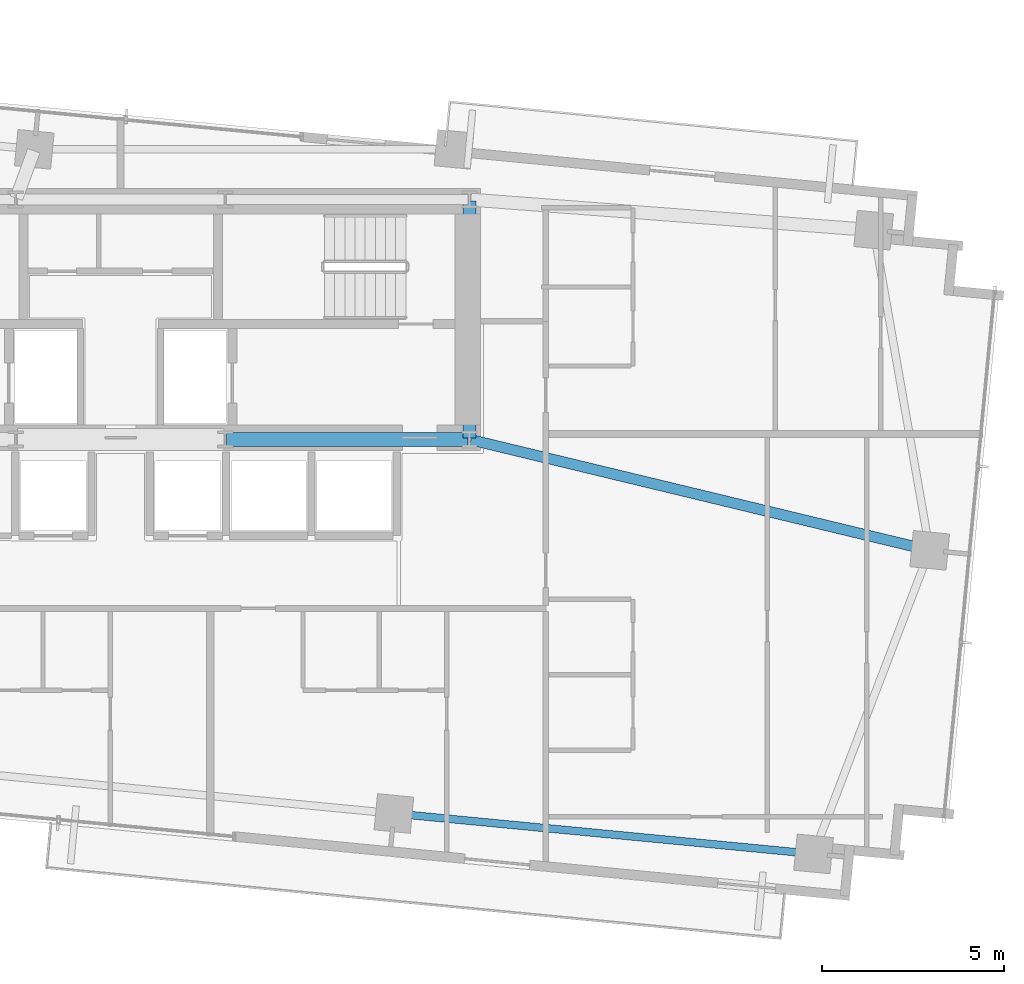
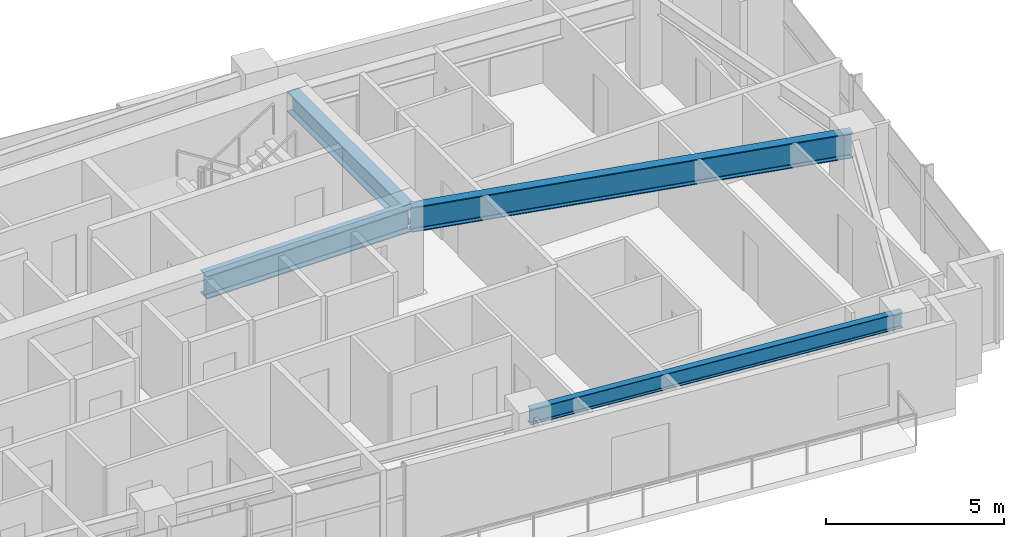
# One storey, part 9 of 19: 4 beams.
"""IFC4 building model written with IfcOpenShell, lengths in metres."""

from ifc_helpers import new_model, si_unit, direction, frame, origin, origin_2d, place, context, subcontext, project, spatial, i_section, extrude, source, transform, mapped, material, material_profile, profile_set, type_object, type_shapes, element, save


model = new_model("IFC4")

# Units and contexts
model_context = context("Model", 3, precision=1e-05, world=origin(), true_north=direction((0.0, 1.0)))
body_context = subcontext(model_context, "Body", "Model", "MODEL_VIEW")
ifc_project = project(units=[si_unit("LENGTHUNIT", "METRE"), si_unit("AREAUNIT", "SQUARE_METRE"), si_unit("VOLUMEUNIT", "CUBIC_METRE"), si_unit("PLANEANGLEUNIT", "RADIAN"), si_unit("MASSUNIT", "GRAM", prefix="KILO")], contexts=[model_context])

# Site, building, storey
site_placement = place(None, origin())
site = spatial("IfcSite", under=ifc_project, at=site_placement, CompositionType="ELEMENT")
building_placement = place(site_placement, origin())
building = spatial("IfcBuilding", under=site, at=building_placement, Name="Astriad Promenade Condominiums", CompositionType="ELEMENT")
storey_placement = place(building_placement, frame((0.0, 0.0, 140.60009765625)))
storey = spatial("IfcBuildingStorey", under=building, at=storey_placement, Name="L40", CompositionType="ELEMENT", Elevation=140.60009765625)

# Beams
ifc_material = material(Name="Steel ASTM A992 Grade 50", Category="steel")
ifc_material_profile_1 = material_profile(ifc_material, i_section(OverallWidth=0.3837890625, OverallDepth=0.785888671875, WebThickness=0.019775390625, FlangeThickness=0.033447265625, FilletRadius=0.021484375, at=origin_2d()), Name="W30X211")
ifc_profile_set_1 = profile_set([ifc_material_profile_1], Name="Steel ASTM A992 Grade 50")
beam_type_1 = type_object("IfcBeamType", Name="STEEL FLOOR GIRDER W30X211", PredefinedType="BEAM", material=ifc_profile_set_1)
shared_shape_1 = source(origin(), body_context, "Body", "SweptSolid", [
    extrude(i_section(OverallWidth=0.3837890625, OverallDepth=0.785888671875, WebThickness=0.019775390625, FlangeThickness=0.033447265625, FilletRadius=0.021484375, at=origin_2d()), origin(), (0.0, 0.0, 1.0), 6.64013671875),
])
type_shapes(beam_type_1, [shared_shape_1])
beam_1_placement = place(storey_placement, frame((38.919921875, 17.39990234375, 2.546875), z_axis=(1.0, 0.0, 0.0), x_axis=(0.0, 1.0, 0.0)))
element("IfcBeam", 1, at=beam_1_placement, inside=storey, type_object=beam_type_1, Name="Core Ring Beam CG-S3-L40", PredefinedType="BEAM", context=body_context, shape_type="MappedRepresentation", body=[
    mapped(shared_shape_1, transform((0.0, 0.0, 0.0), scale=1.0)),
])
ifc_material_profile_2 = material_profile(ifc_material, i_section(OverallWidth=0.35791015625, OverallDepth=0.706298828125, WebThickness=0.018310546875, FlangeThickness=0.0302734375, FilletRadius=0.020263671875, at=origin_2d()), Name="W27X178")
ifc_profile_set_2 = profile_set([ifc_material_profile_2], Name="Steel ASTM A992 Grade 50")
beam_type_2 = type_object("IfcBeamType", Name="STEEL FLOOR GIRDER W27X178", PredefinedType="BEAM", material=ifc_profile_set_2)
shared_shape_2 = source(origin(), body_context, "Body", "SweptSolid", [
    extrude(i_section(OverallWidth=0.35791015625, OverallDepth=0.706298828125, WebThickness=0.018310546875, FlangeThickness=0.0302734375, FilletRadius=0.020263671875, at=origin_2d()), origin(), (0.0, 0.0, 1.0), 6.52001953125),
])
type_shapes(beam_type_2, [shared_shape_2])
beam_2_placement = place(storey_placement, frame((45.60009765625, 17.43994140625, 2.586669921875), z_axis=(0.0, 1.0, 0.0), x_axis=(-1.0, 0.0, 0.0)))
element("IfcBeam", 2, at=beam_2_placement, inside=storey, type_object=beam_type_2, Name="Core Ring Beam CG-E1-L40", PredefinedType="BEAM", context=body_context, shape_type="MappedRepresentation", body=[
    mapped(shared_shape_2, transform((0.0, 0.0, 0.0), scale=1.0)),
])
ifc_material_profile_3 = material_profile(ifc_material, i_section(OverallWidth=0.210693359375, OverallDepth=0.53955078125, WebThickness=0.01171875, FlangeThickness=0.018798828125, FilletRadius=0.0166015625, at=origin_2d()), Name="W21X73")
ifc_profile_set_3 = profile_set([ifc_material_profile_3], Name="Steel ASTM A992 Grade 50")
beam_type_3 = type_object("IfcBeamType", Name="STEEL SPANDREL BEAM W21X73", PredefinedType="SPANDREL", material=ifc_profile_set_3)
shared_shape_3 = source(origin(), body_context, "Body", "SweptSolid", [
    extrude(i_section(OverallWidth=0.210693359375, OverallDepth=0.53955078125, WebThickness=0.01171875, FlangeThickness=0.018798828125, FilletRadius=0.0166015625, at=origin_2d()), origin(), (0.0, 0.0, 1.0), 11.519775390625),
])
type_shapes(beam_type_3, [shared_shape_3])
beam_3_placement = place(storey_placement, frame((43.560302734375, 7.10400390625, 2.670166015625), z_axis=(0.995397217389, -0.095835168988, 0.0), x_axis=(0.095835168988, 0.995397217389, 0.0)))
element("IfcBeam", 3, at=beam_3_placement, inside=storey, type_object=beam_type_3, Name="Perimeter Spandrel Beam SP-S4-L40", PredefinedType="SPANDREL", context=body_context, shape_type="MappedRepresentation", body=[
    mapped(shared_shape_3, transform((0.0, 0.0, 0.0), scale=1.0)),
])
ifc_material_profile_4 = material_profile(ifc_material, i_section(OverallWidth=0.2919921875, OverallDepth=0.85888671875, WebThickness=0.01708984375, FlangeThickness=0.031005859375, FilletRadius=0.02294921875, at=origin_2d()), Name="W33X169")
ifc_profile_set_4 = profile_set([ifc_material_profile_4], Name="Steel ASTM A992 Grade 50")
beam_type_4 = type_object("IfcBeamType", Name="STEEL PRIMARY GIRDER W33X169", PredefinedType="BEAM", material=ifc_profile_set_4)
shared_shape_4 = source(origin(), body_context, "Body", "SweptSolid", [
    extrude(i_section(OverallWidth=0.2919921875, OverallDepth=0.85888671875, WebThickness=0.01708984375, FlangeThickness=0.031005859375, FilletRadius=0.02294921875, at=origin_2d()), origin(), (0.0, 0.0, 1.0), 12.94482421875),
])
type_shapes(beam_type_4, [shared_shape_4])
beam_4_placement = place(storey_placement, frame((58.223388671875, 14.357666015625, 2.510498046875), z_axis=(-0.972164476402, 0.234299446908, 0.0), x_axis=(-0.234299446908, -0.972164476402, 0.0)))
element("IfcBeam", 4, at=beam_4_placement, inside=storey, type_object=beam_type_4, Name="Primary Floor Girder PG-EM-L40", PredefinedType="BEAM", context=body_context, shape_type="MappedRepresentation", body=[
    mapped(shared_shape_4, transform((0.0, 0.0, 0.0), scale=1.0)),
])

save(model, "model.ifc")
